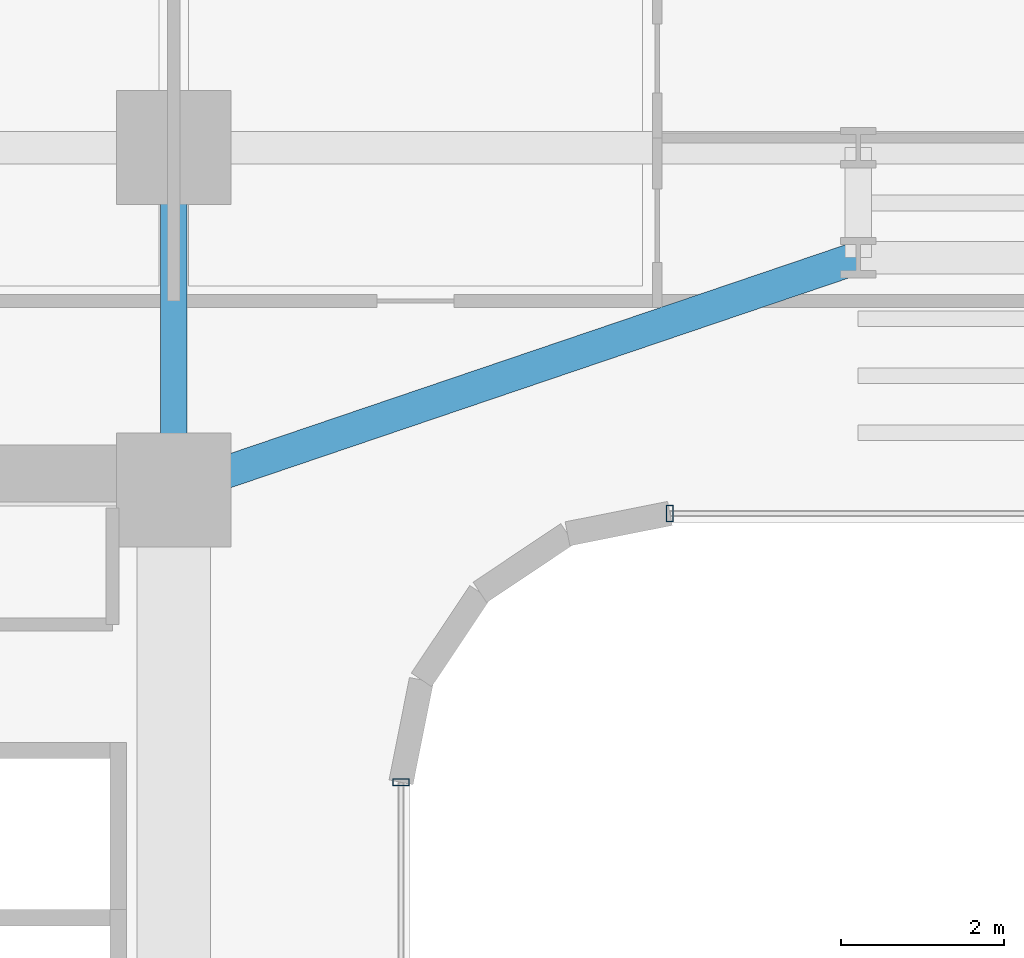
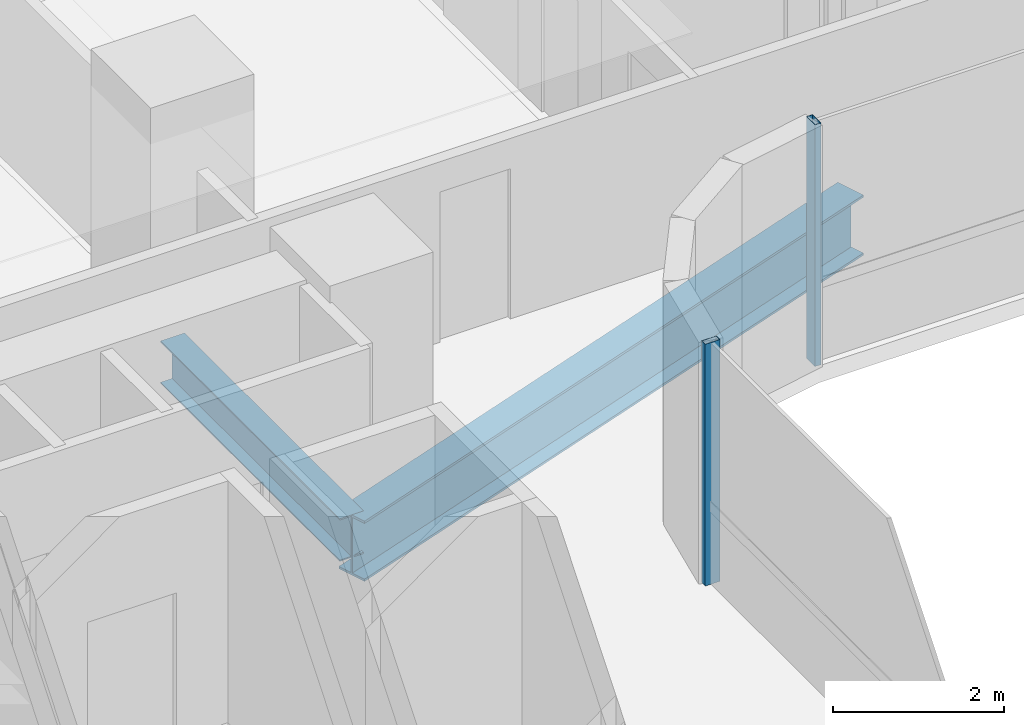
# One storey, part 13 of 41: 2 beams, 2 members, 2 elements without a shape of their own.
"""IFC4 building model written with IfcOpenShell, lengths in metres."""

from ifc_helpers import new_model, si_unit, direction, frame, origin, origin_2d, place, context, subcontext, project, spatial, hollow_rectangle, i_section, extrude, source, transform, mapped, material, material_profile, profile_set, type_object, element, aggregate, save


model = new_model("IFC4")

# Units and contexts
model_context = context("Model", 3, precision=1e-05, world=origin(), true_north=direction((0.0, 1.0)))
body_context = subcontext(model_context, "Body", "Model", "MODEL_VIEW")
ifc_project = project(units=[si_unit("LENGTHUNIT", "METRE"), si_unit("AREAUNIT", "SQUARE_METRE"), si_unit("VOLUMEUNIT", "CUBIC_METRE"), si_unit("PLANEANGLEUNIT", "RADIAN"), si_unit("MASSUNIT", "GRAM", prefix="KILO")], contexts=[model_context])

# Site, building, storey
site_placement = place(None, origin())
site = spatial("IfcSite", under=ifc_project, at=site_placement, CompositionType="ELEMENT")
building_placement = place(site_placement, origin())
building = spatial("IfcBuilding", under=site, at=building_placement, Name="Valdorenza Pilgrim Sanctuary Tower", CompositionType="ELEMENT")
storey_placement = place(building_placement, frame((0.0, 0.0, 88.89990234375)))
storey = spatial("IfcBuildingStorey", under=building, at=storey_placement, Name="L22", CompositionType="ELEMENT", Elevation=88.89990234375)

# Beams
ifc_material_1 = material(Name="Steel ASTM A992 Grade 50", Category="steel")
ifc_material_profile_1 = material_profile(ifc_material_1, i_section(OverallWidth=0.323974609375, OverallDepth=0.611083984375, WebThickness=0.0126953125, FlangeThickness=0.01904296875, at=origin_2d()), Name="W24X104")
ifc_profile_set_1 = profile_set([ifc_material_profile_1], Name="Steel ASTM A992 Grade 50")
beam_type_1 = type_object("IfcBeamType", Name="STR-BM-GRD-W24B", PredefinedType="BEAM", material=ifc_profile_set_1)
shared_shape_1 = source(origin(), body_context, "Body", "SweptSolid", [
    extrude(i_section(OverallWidth=0.323974609375, OverallDepth=0.611083984375, WebThickness=0.0126953125, FlangeThickness=0.01904296875, at=origin_2d()), origin(), (0.0, 0.0, 1.0), 4.199951171875),
])
beam_1_placement = place(storey_placement, frame((-12.39990234375, 10.60009765625, -0.54541015625), z_axis=(0.0, 1.0, 0.0), x_axis=(-1.0, 0.0, 0.0)))
element("IfcBeam", 1, at=beam_1_placement, inside=storey, type_object=beam_type_1, Name="L22 Core Tie Girder CA-E-N1N2", PredefinedType="BEAM", context=body_context, shape_type="MappedRepresentation", body=[
    mapped(shared_shape_1, transform((0.0, 0.0, 0.0), x_axis=(1.0, 0.0, 0.0), y_axis=(0.0, 1.0, 0.0), z_axis=(0.0, 0.0, 1.0), scale=1.0)),
])
ifc_material_profile_2 = material_profile(ifc_material_1, i_section(OverallWidth=0.39990234375, OverallDepth=0.862060546875, WebThickness=0.019775390625, FlangeThickness=0.032470703125, at=origin_2d()), Name="W33X221")
ifc_profile_set_2 = profile_set([ifc_material_profile_2], Name="Steel ASTM A992 Grade 50")
beam_type_2 = type_object("IfcBeamType", Name="STR-BM-GRD-W33", PredefinedType="BEAM", material=ifc_profile_set_2)
shared_shape_2 = source(origin(), body_context, "Body", "SweptSolid", [
    extrude(i_section(OverallWidth=0.39990234375, OverallDepth=0.862060546875, WebThickness=0.019775390625, FlangeThickness=0.032470703125, at=origin_2d()), origin(), (0.0, 0.0, 1.0), 8.8701171875),
])
beam_2_placement = place(storey_placement, frame((-12.39990234375, 10.60009765625, -0.6708984375), z_axis=(0.946982588361, 0.321284885018, 0.0), x_axis=(-0.321284885018, 0.946982588361, 0.0)))
element("IfcBeam", 2, at=beam_2_placement, inside=storey, type_object=beam_type_2, Name="L22 Floor Girder KNK-G1", PredefinedType="BEAM", context=body_context, shape_type="MappedRepresentation", body=[
    mapped(shared_shape_2, transform((0.0, 0.0, 0.0), x_axis=(1.0, 0.0, 0.0), y_axis=(0.0, 1.0, 0.0), z_axis=(0.0, 0.0, 1.0), scale=1.0)),
])

# Curtain wall, member
ifc_material_2 = material(Name="Curtain-wall IGU glazing", Category="glass")
curtain_wall_type = type_object("IfcCurtainWallType", Name="CW-SYS-02", PredefinedType="NOTDEFINED", material=ifc_material_2)
curtain_wall_1_placement = place(storey_placement, origin())
curtain_wall_1 = element("IfcCurtainWall", 3, at=curtain_wall_1_placement, inside=storey, type_object=curtain_wall_type, Name="L22 Curtain Wall CW-L22-1-36", PredefinedType="NOTDEFINED")
ifc_material_3 = material(Name="Anodised aluminium AW-6060", Category="aluminium")
ifc_material_profile_3 = material_profile(ifc_material_3, hollow_rectangle(XDim=0.0849609375, YDim=0.199951171875, WallThickness=0.0048828125, at=origin_2d()), Name="ALU-M 200x85x5")
ifc_profile_set_3 = profile_set([ifc_material_profile_3], Name="Anodised aluminium AW-6060")
member_type = type_object("IfcMemberType", Name="CW-MUL-02", PredefinedType="MULLION", material=ifc_profile_set_3)
shared_shape_3 = source(origin(), body_context, "Body", "SweptSolid", [
    extrude(hollow_rectangle(XDim=0.0849609375, YDim=0.199951171875, WallThickness=0.0048828125, at=origin_2d()), origin(), (0.0, 0.0, 1.0), 3.460205078125),
])
member_1_placement = place(storey_placement, frame((-6.310791015625, 10.31005859375, 0.0), z_axis=(0.0, 0.0, 1.0), x_axis=(-1.0, 0.0, 0.0)))
member_1 = element("IfcMember", 4, at=member_1_placement, type_object=member_type, Name="CW-L22-1-36 Mullion 4", PredefinedType="MULLION", context=body_context, shape_type="MappedRepresentation", body=[
    mapped(shared_shape_3, transform((0.0, 0.0, 0.0), x_axis=(1.0, 0.0, 0.0), y_axis=(0.0, 1.0, 0.0), z_axis=(0.0, 0.0, 1.0), scale=1.0)),
])
aggregate(curtain_wall_1, [member_1])

curtain_wall_2_placement = place(storey_placement, origin())
curtain_wall_2 = element("IfcCurtainWall", 5, at=curtain_wall_2_placement, inside=storey, type_object=curtain_wall_type, Name="L22 Curtain Wall CW-L22-1-41", PredefinedType="NOTDEFINED")
member_2_placement = place(storey_placement, frame((-9.610107421875, 7.0107421875, 0.0), z_axis=(0.0, 0.0, 1.0), x_axis=(0.0, -1.0, 0.0)))
member_2 = element("IfcMember", 6, at=member_2_placement, type_object=member_type, Name="CW-L22-1-41 Mullion 1", PredefinedType="MULLION", context=body_context, shape_type="MappedRepresentation", body=[
    mapped(shared_shape_3, transform((0.0, 0.0, 0.0), x_axis=(1.0, 0.0, 0.0), y_axis=(0.0, 1.0, 0.0), z_axis=(0.0, 0.0, 1.0), scale=1.0)),
])
aggregate(curtain_wall_2, [member_2])

save(model, "model.ifc")
